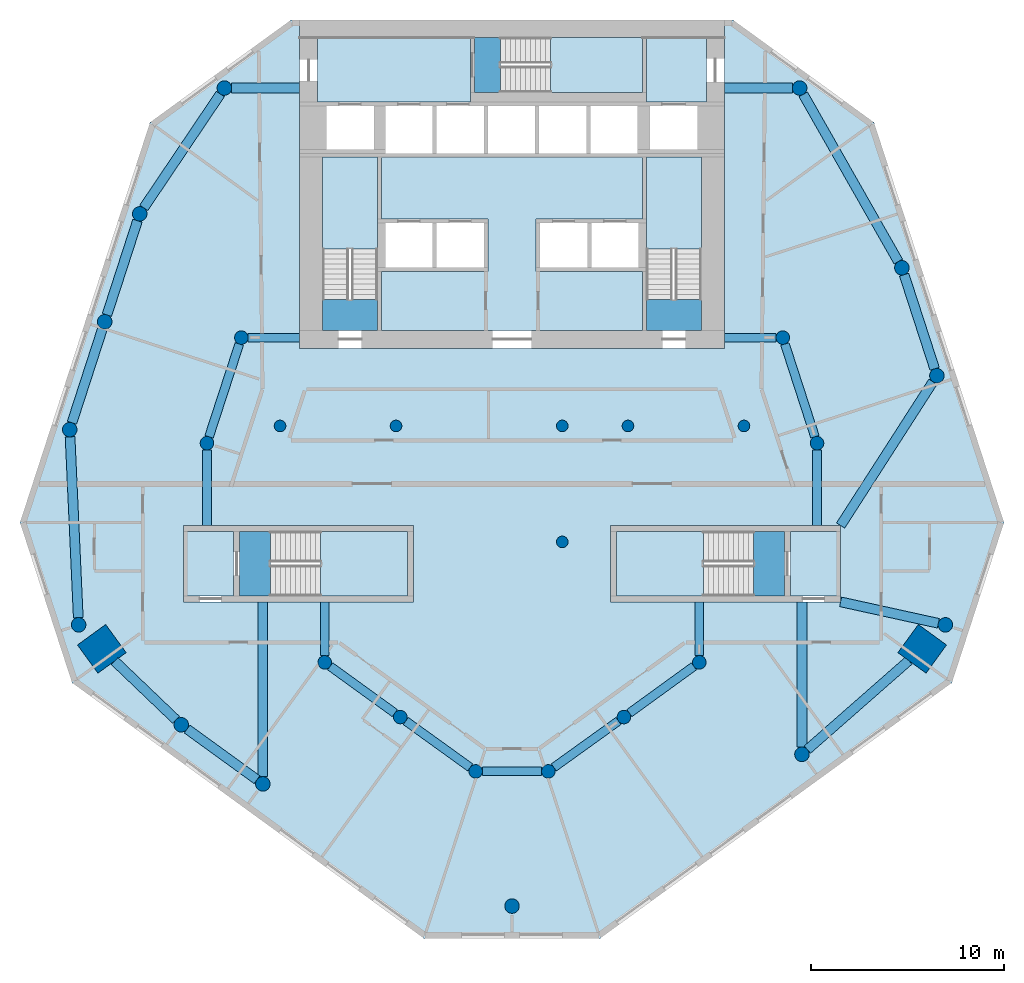
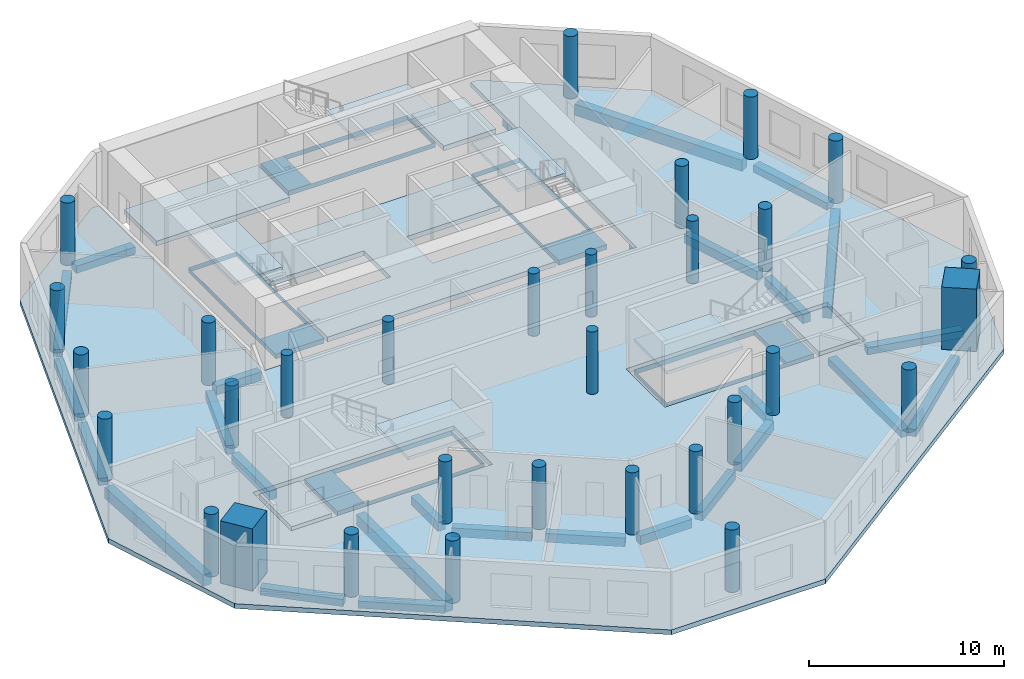
# One storey, part 1 of 8: 31 columns, 28 beams, 16 slabs, 5 elements without a shape of their own.
"""IFC4 building model written with IfcOpenShell, lengths in metres."""

from ifc_helpers import new_model, si_unit, direction, frame, origin, origin_2d, place, context, subcontext, project, spatial, polyline, rectangle, circle, outline, extrude, material, layer, layer_set, material_profile, profile_set, type_object, element, aggregate, save


model = new_model("IFC4")

# Units and contexts
model_context = context("Model", 3, precision=1e-05, world=origin(), true_north=direction((0.0, 1.0)))
body_context = subcontext(model_context, "Body", "Model", "MODEL_VIEW")
ifc_project = project(units=[si_unit("LENGTHUNIT", "METRE"), si_unit("AREAUNIT", "SQUARE_METRE"), si_unit("VOLUMEUNIT", "CUBIC_METRE"), si_unit("PLANEANGLEUNIT", "RADIAN"), si_unit("MASSUNIT", "GRAM", prefix="KILO")], contexts=[model_context])

# Site, building, storey
site_placement = place(None, origin())
site = spatial("IfcSite", under=ifc_project, at=site_placement, CompositionType="ELEMENT")
building_placement = place(site_placement, origin())
building = spatial("IfcBuilding", under=site, at=building_placement, Name="White Candle Pilgrim Tower", CompositionType="ELEMENT")
storey_placement = place(building_placement, frame((0.0, 0.0, 156.39990234375)))
storey = spatial("IfcBuildingStorey", under=building, at=storey_placement, Name="L35", CompositionType="ELEMENT", Elevation=156.39990234375)

# Columns
ifc_material_1 = material(Name="Concrete C70/85", Category="concrete")
ifc_material_profile_1 = material_profile(ifc_material_1, circle(Radius=0.300048828125, at=origin_2d()), Name="RC-COL D600")
ifc_profile_set_1 = profile_set([ifc_material_profile_1], Name="Concrete C70/85")
column_type_1 = type_object("IfcColumnType", Name="Interior column RC-COL D600 C70/85", PredefinedType="COLUMN", material=ifc_profile_set_1)
for number, where, z_axis, x_axis, name in (
    (1, (58.0, 67.0, 0.0), (0.0, 0.0, 1.0), (1.0, 0.0, 0.0), "L35 column I01"),
    (2, (64.0, 67.0, 0.0), (0.0, 0.0, 1.0), (1.0, 0.0, 0.0), "L35 column I02"),
    (3, (72.60009765625, 61.0, 0.0), (0.0, 0.0, 1.0), (1.0, 0.0, 0.0), "L35 column I03"),
    (4, (72.60009765625, 67.0, 0.0), (0.0, 0.0, 1.0), (1.0, 0.0, 0.0), "L35 column I04"),
    (5, (76.0, 67.0, 0.0), (0.0, 0.0, 1.0), (1.0, 0.0, 0.0), "L35 column I05"),
    (6, (82.0, 67.0, 0.0), (0.0, 0.0, 1.0), (1.0, 0.0, 0.0), "L35 column I06"),
):
    element("IfcColumn", number, at=place(storey_placement, frame(where, z_axis=z_axis, x_axis=x_axis)), inside=storey, type_object=column_type_1, Name=name, PredefinedType="COLUMN", context=body_context, shape_type="SweptSolid", body=[
        extrude(circle(Radius=0.300048828125, at=origin_2d()), origin(), (0.0, 0.0, 1.0), 3.900146484375),
    ])
ifc_material_profile_2 = material_profile(ifc_material_1, rectangle(XDim=1.800048828125, YDim=1.800048828125, at=origin_2d()), Name="RC 1800x1800")
ifc_profile_set_2 = profile_set([ifc_material_profile_2], Name="Concrete C70/85")
column_type_2 = type_object("IfcColumnType", Name="Mega column RC 1800x1800 C70/85", PredefinedType="COLUMN", material=ifc_profile_set_2)
for number, where, z_axis, x_axis, name in (
    (7, (48.780029296875, 55.469970703125, 0.0), (0.0, 0.0, 1.0), (-0.809016994375, -0.587785252292, 0.0), "L35 mega column T02"),
    (8, (91.219970703125, 55.469970703125, 0.0), (0.0, 0.0, 1.0), (0.809016994375, -0.587785252292, 0.0), "L35 mega column T07"),
):
    element("IfcColumn", number, at=place(storey_placement, frame(where, z_axis=z_axis, x_axis=x_axis)), inside=storey, type_object=column_type_2, Name=name, PredefinedType="COLUMN", context=body_context, shape_type="SweptSolid", body=[
        extrude(rectangle(XDim=1.800048828125, YDim=1.800048828125, at=origin_2d()), origin(), (0.0, 0.0, 1.0), 3.900146484375),
    ])
ifc_material_profile_3 = material_profile(ifc_material_1, circle(Radius=0.375, at=origin_2d()), Name="RC-COL D750")
ifc_profile_set_3 = profile_set([ifc_material_profile_3], Name="Concrete C70/85")
column_type_3 = type_object("IfcColumnType", Name="Perimeter column RC-COL D750 C70/85", PredefinedType="COLUMN", material=ifc_profile_set_3)
for number, where, z_axis, x_axis, name in (
    (9, (47.580078125, 56.7099609375, 0.0), (0.0, 0.0, 1.0), (1.0, 0.0, 0.0), "L35 column T01"),
    (10, (52.889892578125, 51.5400390625, 0.0), (0.0, 0.0, 1.0), (1.0, 0.0, 0.0), "L35 column T03"),
    (11, (57.110107421875, 48.47998046875, 0.0), (0.0, 0.0, 1.0), (1.0, 0.0, 0.0), "L35 column T04"),
    (12, (70.0, 42.159912109375, 0.0), (0.0, 0.0, 1.0), (1.0, 0.0, 0.0), "L35 column T05"),
    (13, (85.0, 50.010009765625, 0.0), (0.0, 0.0, 1.0), (1.0, 0.0, 0.0), "L35 column T06"),
    (14, (92.419921875, 56.7099609375, 0.0), (0.0, 0.0, 1.0), (1.0, 0.0, 0.0), "L35 column T08"),
    (15, (91.97998046875, 69.60009765625, 0.0), (0.0, 0.0, 1.0), (1.0, 0.0, 0.0), "L35 column T09"),
    (16, (90.169921875, 75.179931640625, 0.0), (0.0, 0.0, 1.0), (1.0, 0.0, 0.0), "L35 column T10"),
    (17, (84.8798828125, 84.47998046875, 0.0), (0.0, 0.0, 1.0), (1.0, 0.0, 0.0), "L35 column T11"),
    (18, (55.1201171875, 84.47998046875, 0.0), (0.0, 0.0, 1.0), (1.0, 0.0, 0.0), "L35 column T12"),
    (19, (50.739990234375, 77.969970703125, 0.0), (0.0, 0.0, 1.0), (1.0, 0.0, 0.0), "L35 column T13"),
    (20, (48.929931640625, 72.389892578125, 0.0), (0.0, 0.0, 1.0), (1.0, 0.0, 0.0), "L35 column T14"),
    (21, (47.1201171875, 66.81005859375, 0.0), (0.0, 0.0, 1.0), (1.0, 0.0, 0.0), "L35 column T15"),
):
    element("IfcColumn", number, at=place(storey_placement, frame(where, z_axis=z_axis, x_axis=x_axis)), inside=storey, type_object=column_type_3, Name=name, PredefinedType="COLUMN", context=body_context, shape_type="SweptSolid", body=[
        extrude(circle(Radius=0.375, at=origin_2d()), origin(), (0.0, 0.0, 1.0), 3.900146484375),
    ])
ifc_material_profile_4 = material_profile(ifc_material_1, circle(Radius=0.35009765625, at=origin_2d()), Name="RC-COL D700")
ifc_profile_set_4 = profile_set([ifc_material_profile_4], Name="Concrete C70/85")
column_type_4 = type_object("IfcColumnType", Name="Ring column RC-COL D700 C70/85", PredefinedType="COLUMN", material=ifc_profile_set_4)
for number, where, z_axis, x_axis, name in (
    (22, (60.31005859375, 54.77001953125, 0.0), (0.0, 0.0, 1.0), (1.0, 0.0, 0.0), "L35 column R01"),
    (23, (64.219970703125, 51.93994140625, 0.0), (0.0, 0.0, 1.0), (1.0, 0.0, 0.0), "L35 column R02"),
    (24, (68.1201171875, 49.1298828125, 0.0), (0.0, 0.0, 1.0), (1.0, 0.0, 0.0), "L35 column R03"),
    (25, (71.8798828125, 49.1298828125, 0.0), (0.0, 0.0, 1.0), (1.0, 0.0, 0.0), "L35 column R04"),
    (26, (75.7900390625, 51.93994140625, 0.0), (0.0, 0.0, 1.0), (1.0, 0.0, 0.0), "L35 column R05"),
    (27, (79.68994140625, 54.77001953125, 0.0), (0.0, 0.0, 1.0), (1.0, 0.0, 0.0), "L35 column R06"),
    (28, (85.780029296875, 66.110107421875, 0.0), (0.0, 0.0, 1.0), (1.0, 0.0, 0.0), "L35 column R07"),
    (29, (84.010009765625, 71.570068359375, 0.0), (0.0, 0.0, 1.0), (1.0, 0.0, 0.0), "L35 column R08"),
    (30, (56.0, 71.570068359375, 0.0), (0.0, 0.0, 1.0), (1.0, 0.0, 0.0), "L35 column R09"),
    (31, (54.219970703125, 66.110107421875, 0.0), (0.0, 0.0, 1.0), (1.0, 0.0, 0.0), "L35 column R10"),
):
    element("IfcColumn", number, at=place(storey_placement, frame(where, z_axis=z_axis, x_axis=x_axis)), inside=storey, type_object=column_type_4, Name=name, PredefinedType="COLUMN", context=body_context, shape_type="SweptSolid", body=[
        extrude(circle(Radius=0.35009765625, at=origin_2d()), origin(), (0.0, 0.0, 1.0), 3.900146484375),
    ])

# Beams
ifc_material_2 = material(Name="Concrete C50/60", Category="concrete")
ifc_material_profile_5 = material_profile(ifc_material_2, rectangle(XDim=0.449951171875, YDim=0.550048828125, at=origin_2d()), Name="RC-BM 450x550")
ifc_profile_set_5 = profile_set([ifc_material_profile_5], Name="Concrete C50/60")
beam_type_1 = type_object("IfcBeamType", Name="Ring beam RC-BM 450x550 C50/60", PredefinedType="BEAM", material=ifc_profile_set_5)
beam_1_placement = place(storey_placement, frame((60.593505859375, 54.56494140625, -0.574951171875), z_axis=(0.810043858436, -0.586369292691, 0.0), x_axis=(0.586369292691, 0.810043858436, 0.0)))
element("IfcBeam", 32, at=beam_1_placement, inside=storey, type_object=beam_type_1, Name="L35 ring beam R01", PredefinedType="BEAM", context=body_context, shape_type="SweptSolid", body=[
    extrude(rectangle(XDim=0.449951171875, YDim=0.550048828125, at=origin_2d()), origin(), (0.0, 0.0, 1.0), 4.126953125),
])
beam_2_placement = place(storey_placement, frame((64.50390625, 51.735595703125, -0.574951171875), z_axis=(0.811316688041, -0.584606903574, 0.0), x_axis=(0.584606903574, 0.811316688041, 0.0)))
element("IfcBeam", 33, at=beam_2_placement, inside=storey, type_object=beam_type_1, Name="L35 ring beam R02", PredefinedType="BEAM", context=body_context, shape_type="SweptSolid", body=[
    extrude(rectangle(XDim=0.449951171875, YDim=0.550048828125, at=origin_2d()), origin(), (0.0, 0.0, 1.0), 4.107177734375),
])
beam_3_placement = place(storey_placement, frame((68.469970703125, 49.1298828125, -0.574951171875), z_axis=(1.0, 0.0, 0.0), x_axis=(0.0, 1.0, 0.0)))
element("IfcBeam", 34, at=beam_3_placement, inside=storey, type_object=beam_type_1, Name="L35 ring beam R03", PredefinedType="BEAM", context=body_context, shape_type="SweptSolid", body=[
    extrude(rectangle(XDim=0.449951171875, YDim=0.550048828125, at=origin_2d()), origin(), (0.0, 0.0, 1.0), 3.06005859375),
])
beam_4_placement = place(storey_placement, frame((72.1640625, 49.333984375, -0.574951171875), z_axis=(0.812022399974, 0.583626269063, 0.0), x_axis=(-0.583626269063, 0.812022399974, 0.0)))
element("IfcBeam", 35, at=beam_4_placement, inside=storey, type_object=beam_type_1, Name="L35 ring beam R04", PredefinedType="BEAM", context=body_context, shape_type="SweptSolid", body=[
    extrude(rectangle(XDim=0.449951171875, YDim=0.550048828125, at=origin_2d()), origin(), (0.0, 0.0, 1.0), 4.115478515625),
])
beam_5_placement = place(storey_placement, frame((76.072998046875, 52.1455078125, -0.574951171875), z_axis=(0.809401961177, 0.587255025728, 0.0), x_axis=(-0.587255025728, 0.809401961177, 0.0)))
element("IfcBeam", 36, at=beam_5_placement, inside=storey, type_object=beam_type_1, Name="L35 ring beam R05", PredefinedType="BEAM", context=body_context, shape_type="SweptSolid", body=[
    extrude(rectangle(XDim=0.449951171875, YDim=0.550048828125, at=origin_2d()), origin(), (0.0, 0.0, 1.0), 4.119140625),
])
beam_6_placement = place(storey_placement, frame((79.68994140625, 55.1201171875, -0.574951171875), z_axis=(0.0, 1.0, 0.0), x_axis=(-1.0, 0.0, 0.0)))
element("IfcBeam", 37, at=beam_6_placement, inside=storey, type_object=beam_type_1, Name="L35 ring beam R06", PredefinedType="BEAM", context=body_context, shape_type="SweptSolid", body=[
    extrude(rectangle(XDim=0.449951171875, YDim=0.550048828125, at=origin_2d()), origin(), (0.0, 0.0, 1.0), 2.77978515625),
])
beam_7_placement = place(storey_placement, frame((85.780029296875, 65.760009765625, -0.574951171875), z_axis=(0.0, -1.0, 0.0), x_axis=(1.0, 0.0, 0.0)))
element("IfcBeam", 38, at=beam_7_placement, inside=storey, type_object=beam_type_1, Name="L35 ring beam R07", PredefinedType="BEAM", context=body_context, shape_type="SweptSolid", body=[
    extrude(rectangle(XDim=0.449951171875, YDim=0.550048828125, at=origin_2d()), origin(), (0.0, 0.0, 1.0), 3.909912109375),
])
beam_8_placement = place(storey_placement, frame((85.672119140625, 66.44287109375, -0.574951171875), z_axis=(-0.308369651752, 0.95126660715, 0.0), x_axis=(-0.95126660715, -0.308369651752, 0.0)))
element("IfcBeam", 39, at=beam_8_placement, inside=storey, type_object=beam_type_1, Name="L35 ring beam R08", PredefinedType="BEAM", context=body_context, shape_type="SweptSolid", body=[
    extrude(rectangle(XDim=0.449951171875, YDim=0.550048828125, at=origin_2d()), origin(), (0.0, 0.0, 1.0), 5.0400390625),
])
beam_9_placement = place(storey_placement, frame((83.659912109375, 71.570068359375, -0.574951171875), z_axis=(-1.0, 0.0, 0.0), x_axis=(0.0, -1.0, 0.0)))
element("IfcBeam", 40, at=beam_9_placement, inside=storey, type_object=beam_type_1, Name="L35 ring beam R09", PredefinedType="BEAM", context=body_context, shape_type="SweptSolid", body=[
    extrude(rectangle(XDim=0.449951171875, YDim=0.550048828125, at=origin_2d()), origin(), (0.0, 0.0, 1.0), 2.659912109375),
])
beam_10_placement = place(storey_placement, frame((56.35009765625, 71.570068359375, -0.574951171875), z_axis=(1.0, 0.0, 0.0), x_axis=(0.0, 1.0, 0.0)))
element("IfcBeam", 41, at=beam_10_placement, inside=storey, type_object=beam_type_1, Name="L35 ring beam R10", PredefinedType="BEAM", context=body_context, shape_type="SweptSolid", body=[
    extrude(rectangle(XDim=0.449951171875, YDim=0.550048828125, at=origin_2d()), origin(), (0.0, 0.0, 1.0), 2.64990234375),
])
beam_11_placement = place(storey_placement, frame((55.8916015625, 71.2373046875, -0.574951171875), z_axis=(-0.309975890104, -0.950744417577, 0.0), x_axis=(0.950744417577, -0.309975890104, 0.0)))
element("IfcBeam", 42, at=beam_11_placement, inside=storey, type_object=beam_type_1, Name="L35 ring beam R11", PredefinedType="BEAM", context=body_context, shape_type="SweptSolid", body=[
    extrude(rectangle(XDim=0.449951171875, YDim=0.550048828125, at=origin_2d()), origin(), (0.0, 0.0, 1.0), 5.04296875),
])
beam_12_placement = place(storey_placement, frame((54.219970703125, 65.760009765625, -0.574951171875), z_axis=(0.0, -1.0, 0.0), x_axis=(1.0, 0.0, 0.0)))
element("IfcBeam", 43, at=beam_12_placement, inside=storey, type_object=beam_type_1, Name="L35 ring beam R12", PredefinedType="BEAM", context=body_context, shape_type="SweptSolid", body=[
    extrude(rectangle(XDim=0.449951171875, YDim=0.550048828125, at=origin_2d()), origin(), (0.0, 0.0, 1.0), 3.909912109375),
])
beam_13_placement = place(storey_placement, frame((60.31005859375, 55.1201171875, -0.574951171875), z_axis=(0.0, 1.0, 0.0), x_axis=(-1.0, 0.0, 0.0)))
element("IfcBeam", 44, at=beam_13_placement, inside=storey, type_object=beam_type_1, Name="L35 ring beam R13", PredefinedType="BEAM", context=body_context, shape_type="SweptSolid", body=[
    extrude(rectangle(XDim=0.449951171875, YDim=0.550048828125, at=origin_2d()), origin(), (0.0, 0.0, 1.0), 2.77978515625),
])
ifc_material_profile_6 = material_profile(ifc_material_2, rectangle(XDim=0.5, YDim=0.449951171875, at=origin_2d()), Name="RC-BM 500x450")
ifc_profile_set_6 = profile_set([ifc_material_profile_6], Name="Concrete C50/60")
beam_type_2 = type_object("IfcBeamType", Name="Spandrel beam RC-BM 500x450 C50/60", PredefinedType="BEAM", material=ifc_profile_set_6)
beam_14_placement = place(storey_placement, frame((49.441162109375, 54.837890625, -0.52490234375), z_axis=(0.722753991569, -0.691105395487, 0.0), x_axis=(0.691105395487, 0.722753991569, 0.0)))
element("IfcBeam", 45, at=beam_14_placement, inside=storey, type_object=beam_type_2, Name="L35 spandrel beam T01", PredefinedType="BEAM", context=body_context, shape_type="SweptSolid", body=[
    extrude(rectangle(XDim=0.5, YDim=0.449951171875, at=origin_2d()), origin(), (0.0, 0.0, 1.0), 4.39697265625),
])
beam_15_placement = place(storey_placement, frame((53.193359375, 51.320068359375, -0.52490234375), z_axis=(0.809558451789, -0.587039277338, 0.0), x_axis=(0.587039277338, 0.809558451789, 0.0)))
element("IfcBeam", 46, at=beam_15_placement, inside=storey, type_object=beam_type_2, Name="L35 spandrel beam T02", PredefinedType="BEAM", context=body_context, shape_type="SweptSolid", body=[
    extrude(rectangle(XDim=0.5, YDim=0.449951171875, at=origin_2d()), origin(), (0.0, 0.0, 1.0), 4.46337890625),
])
beam_16_placement = place(storey_placement, frame((85.0, 50.385009765625, -0.52490234375), z_axis=(0.0, 1.0, 0.0), x_axis=(-1.0, 0.0, 0.0)))
element("IfcBeam", 47, at=beam_16_placement, inside=storey, type_object=beam_type_2, Name="L35 spandrel beam T04", PredefinedType="BEAM", context=body_context, shape_type="SweptSolid", body=[
    extrude(rectangle(XDim=0.5, YDim=0.449951171875, at=origin_2d()), origin(), (0.0, 0.0, 1.0), 7.514892578125),
])
beam_17_placement = place(storey_placement, frame((85.28173828125, 50.25732421875, -0.52490234375), z_axis=(0.751529055224, 0.65969999178, 0.0), x_axis=(-0.65969999178, 0.751529055224, 0.0)))
element("IfcBeam", 48, at=beam_17_placement, inside=storey, type_object=beam_type_2, Name="L35 spandrel beam T05", PredefinedType="BEAM", context=body_context, shape_type="SweptSolid", body=[
    extrude(rectangle(XDim=0.5, YDim=0.449951171875, at=origin_2d()), origin(), (0.0, 0.0, 1.0), 6.97900390625),
])
beam_18_placement = place(storey_placement, frame((92.053955078125, 56.790283203125, -0.52490234375), z_axis=(-0.976735666267, 0.214446819148, 0.0), x_axis=(-0.214446819148, -0.976735666267, 0.0)))
element("IfcBeam", 49, at=beam_18_placement, inside=storey, type_object=beam_type_2, Name="L35 spandrel beam T06", PredefinedType="BEAM", context=body_context, shape_type="SweptSolid", body=[
    extrude(rectangle(XDim=0.5, YDim=0.449951171875, at=origin_2d()), origin(), (0.0, 0.0, 1.0), 5.17431640625),
])
beam_19_placement = place(storey_placement, frame((91.8642578125, 69.95654296875, -0.52490234375), z_axis=(-0.308530369215, 0.951214492779, 0.0), x_axis=(-0.951214492779, -0.308530369215, 0.0)))
element("IfcBeam", 50, at=beam_19_placement, inside=storey, type_object=beam_type_2, Name="L35 spandrel beam T08", PredefinedType="BEAM", context=body_context, shape_type="SweptSolid", body=[
    extrude(rectangle(XDim=0.5, YDim=0.449951171875, at=origin_2d()), origin(), (0.0, 0.0, 1.0), 5.116455078125),
])
for number, where, z_axis, x_axis, name in (
    (51, (84.5048828125, 84.47998046875, -0.52490234375), (-1.0, 0.0, 0.0), (0.0, -1.0, 0.0), "L35 spandrel beam T10"),
    (52, (55.4951171875, 84.47998046875, -0.52490234375), (1.0, 0.0, 0.0), (0.0, 1.0, 0.0), "L35 spandrel beam T11"),
):
    element("IfcBeam", number, at=place(storey_placement, frame(where, z_axis=z_axis, x_axis=x_axis)), inside=storey, type_object=beam_type_2, Name=name, PredefinedType="BEAM", context=body_context, shape_type="SweptSolid", body=[
        extrude(rectangle(XDim=0.5, YDim=0.449951171875, at=origin_2d()), origin(), (0.0, 0.0, 1.0), 3.5048828125),
    ])
beam_20_placement = place(storey_placement, frame((54.91064453125, 84.1689453125, -0.52490234375), z_axis=(-0.55822018442, -0.82969285022, 0.0), x_axis=(0.82969285022, -0.55822018442, 0.0)))
element("IfcBeam", 53, at=beam_20_placement, inside=storey, type_object=beam_type_2, Name="L35 spandrel beam T12", PredefinedType="BEAM", context=body_context, shape_type="SweptSolid", body=[
    extrude(rectangle(XDim=0.5, YDim=0.449951171875, at=origin_2d()), origin(), (0.0, 0.0, 1.0), 7.096435546875),
])
beam_21_placement = place(storey_placement, frame((50.624267578125, 77.61328125, -0.52490234375), z_axis=(-0.308544373382, -0.951209950355, 0.0), x_axis=(0.951209950355, -0.308544373382, 0.0)))
element("IfcBeam", 54, at=beam_21_placement, inside=storey, type_object=beam_type_2, Name="L35 spandrel beam T13", PredefinedType="BEAM", context=body_context, shape_type="SweptSolid", body=[
    extrude(rectangle(XDim=0.5, YDim=0.449951171875, at=origin_2d()), origin(), (0.0, 0.0, 1.0), 5.1162109375),
])
beam_22_placement = place(storey_placement, frame((48.814208984375, 72.033447265625, -0.52490234375), z_axis=(-0.308530369215, -0.951214492779, 0.0), x_axis=(0.951214492779, -0.308530369215, 0.0)))
element("IfcBeam", 55, at=beam_22_placement, inside=storey, type_object=beam_type_2, Name="L35 spandrel beam T14", PredefinedType="BEAM", context=body_context, shape_type="SweptSolid", body=[
    extrude(rectangle(XDim=0.5, YDim=0.449951171875, at=origin_2d()), origin(), (0.0, 0.0, 1.0), 5.116455078125),
])
ifc_material_profile_7 = material_profile(ifc_material_2, rectangle(XDim=0.5, YDim=0.699951171875, at=origin_2d()), Name="RC-BM 500x700")
ifc_profile_set_7 = profile_set([ifc_material_profile_7], Name="Concrete C50/60")
beam_type_3 = type_object("IfcBeamType", Name="Spandrel beam RC-BM 500x700 C50/60", PredefinedType="BEAM", material=ifc_profile_set_7)
beam_23_placement = place(storey_placement, frame((57.110107421875, 48.85498046875, -0.64990234375), z_axis=(0.0, 1.0, 0.0), x_axis=(-1.0, 0.0, 0.0)))
element("IfcBeam", 56, at=beam_23_placement, inside=storey, type_object=beam_type_3, Name="L35 spandrel beam T03", PredefinedType="BEAM", context=body_context, shape_type="SweptSolid", body=[
    extrude(rectangle(XDim=0.5, YDim=0.699951171875, at=origin_2d()), origin(), (0.0, 0.0, 1.0), 9.044921875),
])
beam_24_placement = place(storey_placement, frame((91.77734375, 69.28466796875, -0.64990234375), z_axis=(-0.540595612128, -0.841282582815, 0.0), x_axis=(0.841282582815, -0.540595612128, 0.0)))
element("IfcBeam", 57, at=beam_24_placement, inside=storey, type_object=beam_type_3, Name="L35 spandrel beam T07", PredefinedType="BEAM", context=body_context, shape_type="SweptSolid", body=[
    extrude(rectangle(XDim=0.5, YDim=0.699951171875, at=origin_2d()), origin(), (0.0, 0.0, 1.0), 8.837158203125),
])
beam_25_placement = place(storey_placement, frame((89.984619140625, 75.505859375, -0.64990234375), z_axis=(-0.494422929515, 0.869221471646, 0.0), x_axis=(-0.869221471646, -0.494422929515, 0.0)))
element("IfcBeam", 58, at=beam_25_placement, inside=storey, type_object=beam_type_3, Name="L35 spandrel beam T09", PredefinedType="BEAM", context=body_context, shape_type="SweptSolid", body=[
    extrude(rectangle(XDim=0.5, YDim=0.699951171875, at=origin_2d()), origin(), (0.0, 0.0, 1.0), 9.949462890625),
])
beam_26_placement = place(storey_placement, frame((47.13720703125, 66.435546875, -0.64990234375), z_axis=(0.045485743277, -0.998964987954, 0.0), x_axis=(0.998964987954, 0.045485743277, 0.0)))
element("IfcBeam", 59, at=beam_26_placement, inside=storey, type_object=beam_type_3, Name="L35 spandrel beam T15", PredefinedType="BEAM", context=body_context, shape_type="SweptSolid", body=[
    extrude(rectangle(XDim=0.5, YDim=0.699951171875, at=origin_2d()), origin(), (0.0, 0.0, 1.0), 9.36083984375),
])

# Slabs
ifc_material_3 = material(Name="Concrete C40/50", Category="concrete")
ifc_layer_1 = layer(ifc_material_3, 0.300048828125)
ifc_layer_set_1 = layer_set([ifc_layer_1], Name="Core floor slab 300 mm Concrete C40/50")
slab_type_1 = type_object("IfcSlabType", Name="Core floor slab 300 mm Concrete C40/50", PredefinedType="FLOOR", material=ifc_layer_set_1)
slab_1_placement = place(storey_placement, frame((0.0, 0.0, -0.2998046875)))
element("IfcSlab", 60, at=slab_1_placement, inside=storey, type_object=slab_type_1, Name="CF-L35-01", PredefinedType="FLOOR", context=body_context, shape_type="SweptSolid", body=[
    extrude(outline(polyline([(55.60009765625, 58.199951171875), (53.199951171875, 58.199951171875), (53.199951171875, 61.550048828125), (55.60009765625, 61.550048828125), (55.60009765625, 58.199951171875)])), origin(), (0.0, 0.0, 1.0), 0.2998046875),
])
slab_2_placement = place(storey_placement, frame((0.0, 0.0, -0.2998046875)))
element("IfcSlab", 61, at=slab_2_placement, inside=storey, type_object=slab_type_1, Name="CF-L35-02", PredefinedType="FLOOR", context=body_context, shape_type="SweptSolid", body=[
    extrude(outline(polyline([(55.89990234375, 58.199951171875), (55.89990234375, 61.550048828125), (64.60009765625, 61.550048828125), (64.60009765625, 58.199951171875), (55.89990234375, 58.199951171875)]), holes=[polyline([(57.501953125, 61.548095703125), (57.501953125, 58.201904296875), (64.597900390625, 58.201904296875), (64.597900390625, 61.548095703125), (57.501953125, 61.548095703125)])]), origin(), (0.0, 0.0, 1.0), 0.2998046875),
])
slab_3_placement = place(storey_placement, frame((0.0, 0.0, -0.2998046875)))
element("IfcSlab", 62, at=slab_3_placement, inside=storey, type_object=slab_type_1, Name="CF-L35-03", PredefinedType="FLOOR", context=body_context, shape_type="SweptSolid", body=[
    extrude(outline(polyline([(75.39990234375, 58.199951171875), (75.39990234375, 61.550048828125), (84.10009765625, 61.550048828125), (84.10009765625, 58.199951171875), (75.39990234375, 58.199951171875)]), holes=[polyline([(82.498046875, 58.201904296875), (82.498046875, 61.548095703125), (75.402099609375, 61.548095703125), (75.402099609375, 58.201904296875), (82.498046875, 58.201904296875)])]), origin(), (0.0, 0.0, 1.0), 0.2998046875),
])
slab_4_placement = place(storey_placement, frame((0.0, 0.0, -0.2998046875)))
element("IfcSlab", 63, at=slab_4_placement, inside=storey, type_object=slab_type_1, Name="CF-L35-04", PredefinedType="FLOOR", context=body_context, shape_type="SweptSolid", body=[
    extrude(outline(polyline([(86.800048828125, 58.199951171875), (84.39990234375, 58.199951171875), (84.39990234375, 61.550048828125), (86.800048828125, 61.550048828125), (86.800048828125, 58.199951171875)])), origin(), (0.0, 0.0, 1.0), 0.2998046875),
])
slab_5_placement = place(storey_placement, frame((0.0, 0.0, -0.2998046875)))
element("IfcSlab", 64, at=slab_5_placement, inside=storey, type_object=slab_type_1, Name="CF-L35-05", PredefinedType="FLOOR", context=body_context, shape_type="SweptSolid", body=[
    extrude(outline(polyline([(76.75, 87.10009765625), (76.75, 87.050048828125), (76.75, 84.25), (68.050048828125, 84.25), (68.050048828125, 87.050048828125), (68.050048828125, 87.10009765625), (76.75, 87.10009765625)]), holes=[polyline([(69.402099609375, 87.097900390625), (69.402099609375, 84.251953125), (76.748046875, 84.251953125), (76.748046875, 87.097900390625), (69.402099609375, 87.097900390625)])]), origin(), (0.0, 0.0, 1.0), 0.2998046875),
])
slab_6_placement = place(storey_placement, frame((0.0, 0.0, -0.2998046875)))
element("IfcSlab", 65, at=slab_6_placement, inside=storey, type_object=slab_type_1, Name="CF-L35-06", PredefinedType="FLOOR", context=body_context, shape_type="SweptSolid", body=[
    extrude(outline(polyline([(80.050048828125, 87.050048828125), (80.050048828125, 83.75), (76.949951171875, 83.75), (76.949951171875, 84.25), (76.949951171875, 87.050048828125), (80.050048828125, 87.050048828125)])), origin(), (0.0, 0.0, 1.0), 0.2998046875),
])
slab_7_placement = place(storey_placement, frame((0.0, 0.0, -0.2998046875)))
element("IfcSlab", 66, at=slab_7_placement, inside=storey, type_object=slab_type_1, Name="CF-L35-07", PredefinedType="FLOOR", context=body_context, shape_type="SweptSolid", body=[
    extrude(outline(polyline([(76.949951171875, 71.949951171875), (76.949951171875, 75.0), (76.949951171875, 75.199951171875), (76.949951171875, 77.5), (76.949951171875, 77.699951171875), (76.949951171875, 80.89990234375), (79.800048828125, 80.89990234375), (79.800048828125, 71.949951171875), (76.949951171875, 71.949951171875)]), holes=[polyline([(76.951904296875, 73.552001953125), (79.798095703125, 73.552001953125), (79.798095703125, 80.89794921875), (76.951904296875, 80.89794921875), (76.951904296875, 73.552001953125)])]), origin(), (0.0, 0.0, 1.0), 0.2998046875),
])
slab_8_placement = place(storey_placement, frame((0.0, 0.0, -0.2998046875)))
element("IfcSlab", 67, at=slab_8_placement, inside=storey, type_object=slab_type_1, Name="CF-L35-08", PredefinedType="FLOOR", context=body_context, shape_type="SweptSolid", body=[
    extrude(outline(polyline([(63.25, 71.949951171875), (63.25, 75.0), (68.75, 75.0), (68.75, 75.199951171875), (68.75, 77.5), (68.75, 77.699951171875), (63.25, 77.699951171875), (63.25, 80.89990234375), (76.75, 80.89990234375), (76.75, 77.699951171875), (71.25, 77.699951171875), (71.25, 77.5), (71.25, 75.199951171875), (71.25, 75.0), (76.75, 75.0), (76.75, 71.949951171875), (63.25, 71.949951171875)])), origin(), (0.0, 0.0, 1.0), 0.2998046875),
])
slab_9_placement = place(storey_placement, frame((0.0, 0.0, -0.2998046875)))
element("IfcSlab", 68, at=slab_9_placement, inside=storey, type_object=slab_type_1, Name="CF-L35-09", PredefinedType="FLOOR", context=body_context, shape_type="SweptSolid", body=[
    extrude(outline(polyline([(60.199951171875, 71.949951171875), (60.199951171875, 80.89990234375), (63.050048828125, 80.89990234375), (63.050048828125, 77.699951171875), (63.050048828125, 77.5), (63.050048828125, 75.199951171875), (63.050048828125, 75.0), (63.050048828125, 71.949951171875), (60.199951171875, 71.949951171875)]), holes=[polyline([(60.201904296875, 73.552001953125), (63.048095703125, 73.552001953125), (63.048095703125, 80.89794921875), (60.201904296875, 80.89794921875), (60.201904296875, 73.552001953125)])]), origin(), (0.0, 0.0, 1.0), 0.2998046875),
])
slab_10_placement = place(storey_placement, frame((0.0, 0.0, -0.2998046875)))
element("IfcSlab", 69, at=slab_10_placement, inside=storey, type_object=slab_type_1, Name="CF-L35-10", PredefinedType="FLOOR", context=body_context, shape_type="SweptSolid", body=[
    extrude(outline(polyline([(59.949951171875, 87.050048828125), (67.85009765625, 87.050048828125), (67.85009765625, 84.25), (67.85009765625, 83.75), (59.949951171875, 83.75), (59.949951171875, 87.050048828125)])), origin(), (0.0, 0.0, 1.0), 0.2998046875),
])
ifc_layer_2 = layer(ifc_material_3, 0.300048828125)
ifc_layer_set_2 = layer_set([ifc_layer_2], Name="Floor slab 300 REI 120")
slab_type_2 = type_object("IfcSlabType", Name="Floor slab 300 REI 120", PredefinedType="FLOOR", material=ifc_layer_set_2)
slab_11_placement = place(storey_placement, frame((0.0, 0.0, -0.2998046875)))
element("IfcSlab", 70, at=slab_11_placement, inside=storey, type_object=slab_type_2, Name="L35 floor slab", PredefinedType="FLOOR", context=body_context, shape_type="SweptSolid", body=[
    extrude(outline(polyline([(65.441162109375, 40.491455078125), (74.558837890625, 40.491455078125), (92.759521484375, 53.715087890625), (95.4521484375, 62.002197265625), (88.725341796875, 82.70458984375), (81.43701171875, 88.0), (81.0, 88.0), (81.0, 71.0), (59.0, 71.0), (59.0, 88.0), (58.56298828125, 88.0), (51.274658203125, 82.70458984375), (44.5478515625, 62.002197265625), (47.240478515625, 53.715087890625), (65.441162109375, 40.491455078125)]), holes=[polyline([(53.0, 57.89990234375), (53.0, 61.85009765625), (64.89990234375, 61.85009765625), (64.89990234375, 57.89990234375), (53.0, 57.89990234375)]), polyline([(75.10009765625, 57.89990234375), (75.10009765625, 61.85009765625), (87.0, 61.85009765625), (87.0, 57.89990234375), (75.10009765625, 57.89990234375)])]), origin(), (0.0, 0.0, 1.0), 0.2998046875),
])

# Stair, slab
stair_type_1 = type_object("IfcStairType", Name="Exit stair 1 flight width 1350 mm", PredefinedType="HALF_TURN_STAIR", material=ifc_material_3)
stair_1_placement = place(storey_placement, origin())
stair_1 = element("IfcStair", 71, at=stair_1_placement, inside=storey, type_object=stair_type_1, Name="L35 stair 1", PredefinedType="NOTDEFINED")
ifc_layer_3 = layer(ifc_material_3, 0.199951171875)
ifc_layer_set_3 = layer_set([ifc_layer_3], Name="Stair landing Concrete C40/50")
slab_type_3 = type_object("IfcSlabType", Name="Stair landing Concrete C40/50", PredefinedType="LANDING", material=ifc_layer_set_3)
slab_12_placement = place(storey_placement, frame((0.0, 0.0, 1.75)))
slab_12 = element("IfcSlab", 72, at=slab_12_placement, type_object=slab_type_3, Name="ST1 landing 1", PredefinedType="LANDING", context=body_context, shape_type="SweptSolid", body=[
    extrude(outline(polyline([(63.052001953125, 76.14794921875), (60.197998046875, 76.14794921875), (60.197998046875, 80.902099609375), (63.052001953125, 80.902099609375), (63.052001953125, 76.14794921875)])), origin(), (0.0, 0.0, 1.0), 0.2001953125),
])
aggregate(stair_1, [slab_12])

stair_type_2 = type_object("IfcStairType", Name="Exit stair 2 flight width 1350 mm", PredefinedType="HALF_TURN_STAIR", material=ifc_material_3)
stair_2_placement = place(storey_placement, origin())
stair_2 = element("IfcStair", 73, at=stair_2_placement, inside=storey, type_object=stair_type_2, Name="L35 stair 2", PredefinedType="NOTDEFINED")
slab_13_placement = place(storey_placement, frame((0.0, 0.0, 1.75)))
slab_13 = element("IfcSlab", 74, at=slab_13_placement, type_object=slab_type_3, Name="ST2 landing 1", PredefinedType="LANDING", context=body_context, shape_type="SweptSolid", body=[
    extrude(outline(polyline([(79.802001953125, 76.14794921875), (76.947998046875, 76.14794921875), (76.947998046875, 80.902099609375), (79.802001953125, 80.902099609375), (79.802001953125, 76.14794921875)])), origin(), (0.0, 0.0, 1.0), 0.2001953125),
])
aggregate(stair_2, [slab_13])

stair_type_3 = type_object("IfcStairType", Name="Exit stair 3 flight width 1350 mm", PredefinedType="HALF_TURN_STAIR", material=ifc_material_3)
stair_3_placement = place(storey_placement, origin())
stair_3 = element("IfcStair", 75, at=stair_3_placement, inside=storey, type_object=stair_type_3, Name="L35 stair 3", PredefinedType="NOTDEFINED")
slab_14_placement = place(storey_placement, frame((0.0, 0.0, 1.75)))
slab_14 = element("IfcSlab", 76, at=slab_14_placement, type_object=slab_type_3, Name="ST3 landing 1", PredefinedType="LANDING", context=body_context, shape_type="SweptSolid", body=[
    extrude(outline(polyline([(71.998046875, 84.248046875), (71.998046875, 87.10205078125), (76.751953125, 87.10205078125), (76.751953125, 84.248046875), (71.998046875, 84.248046875)])), origin(), (0.0, 0.0, 1.0), 0.2001953125),
])
aggregate(stair_3, [slab_14])

stair_type_4 = type_object("IfcStairType", Name="Exit stair 4 flight width 1600 mm", PredefinedType="HALF_TURN_STAIR", material=ifc_material_3)
stair_4_placement = place(storey_placement, origin())
stair_4 = element("IfcStair", 77, at=stair_4_placement, inside=storey, type_object=stair_type_4, Name="L35 stair 4", PredefinedType="NOTDEFINED")
slab_15_placement = place(storey_placement, frame((0.0, 0.0, 1.75)))
slab_15 = element("IfcSlab", 78, at=slab_15_placement, type_object=slab_type_3, Name="ST4 landing 1", PredefinedType="LANDING", context=body_context, shape_type="SweptSolid", body=[
    extrude(outline(polyline([(79.902099609375, 61.552001953125), (79.902099609375, 58.197998046875), (75.39794921875, 58.197998046875), (75.39794921875, 61.552001953125), (79.902099609375, 61.552001953125)])), origin(), (0.0, 0.0, 1.0), 0.2001953125),
])
aggregate(stair_4, [slab_15])

stair_type_5 = type_object("IfcStairType", Name="Exit stair 5 flight width 1600 mm", PredefinedType="HALF_TURN_STAIR", material=ifc_material_3)
stair_5_placement = place(storey_placement, origin())
stair_5 = element("IfcStair", 79, at=stair_5_placement, inside=storey, type_object=stair_type_5, Name="L35 stair 5", PredefinedType="NOTDEFINED")
slab_16_placement = place(storey_placement, frame((0.0, 0.0, 1.75)))
slab_16 = element("IfcSlab", 80, at=slab_16_placement, type_object=slab_type_3, Name="ST5 landing 1", PredefinedType="LANDING", context=body_context, shape_type="SweptSolid", body=[
    extrude(outline(polyline([(60.097900390625, 58.197998046875), (60.097900390625, 61.552001953125), (64.60205078125, 61.552001953125), (64.60205078125, 58.197998046875), (60.097900390625, 58.197998046875)])), origin(), (0.0, 0.0, 1.0), 0.2001953125),
])
aggregate(stair_5, [slab_16])

save(model, "model.ifc")
